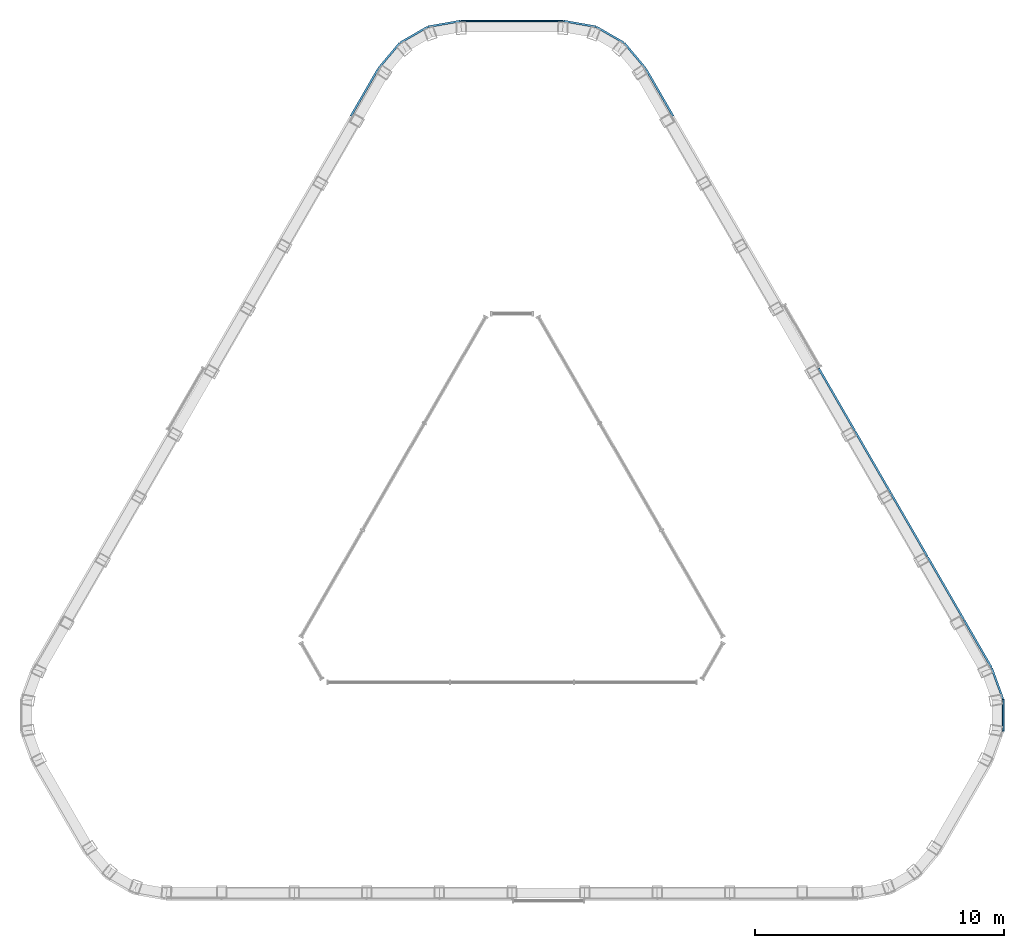
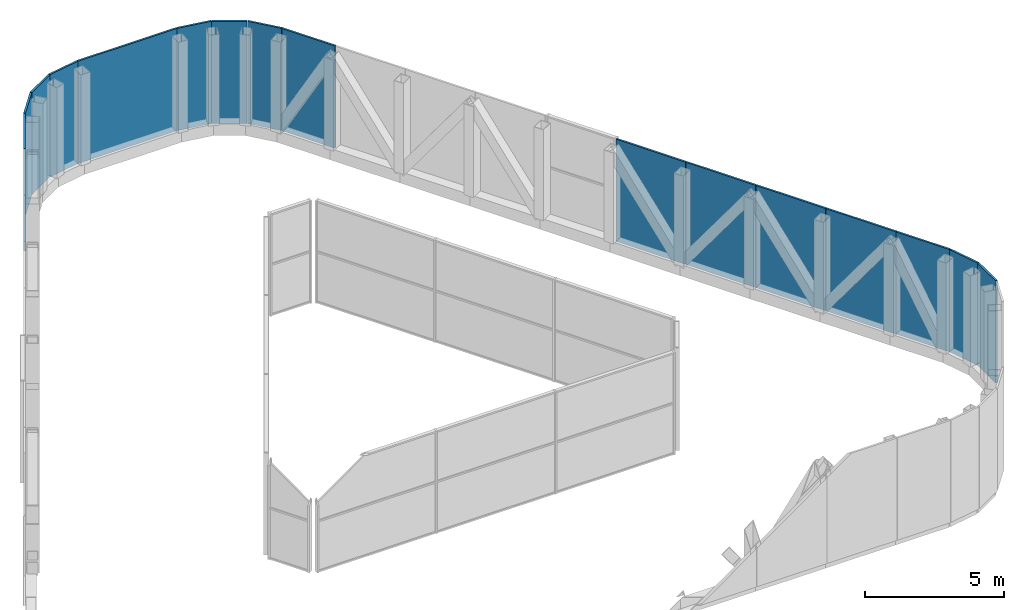
# One storey, part 5 of 5: 16 plates.
"""IFC4 building model written with IfcOpenShell, lengths in metres."""

import ifcopenshell
import ifcopenshell.guid

model = None  # the IFC model being written
_history = None  # IfcOwnerHistory: only IFC2X3 demands one
_inside = {}  # id of a spatial element -> (the spatial element, [elements in it])
_under = {}  # id of a project, library or spatial element -> (it, [spatial elements below it])
_declared = {}  # id of a project -> (the project, [libraries it declares])
_typed = {}  # id of a type object -> (the type object, [elements of that type])
_made_of = {}  # id of a material, layer set ... -> (it, [elements and type objects made of it])


def new_model(schema):
    """Start an empty IFC model of exactly this schema.

    Asked for "IFC4X3", IfcOpenShell would pick the latest addendum, in which some entities
    have other attributes; the version numbers below select the first issue.
    IFC2X3 requires an IfcOwnerHistory on every rooted entity: one is made here for all.
    """
    global model, _history
    if schema == "IFC4X3":
        model = ifcopenshell.file(schema_version=(4, 3, 0, 0))
    else:
        model = ifcopenshell.file(schema=schema)
    _inside.clear()
    _under.clear()
    _declared.clear()
    _typed.clear()
    _made_of.clear()
    _history = None
    if model.schema == "IFC2X3":
        org = make("IfcOrganization", Name="unknown")
        user = make(
            "IfcPersonAndOrganization",
            ThePerson=make("IfcPerson", FamilyName="unknown"),
            TheOrganization=org,
        )
        app = make(
            "IfcApplication",
            ApplicationDeveloper=org,
            Version="unknown",
            ApplicationFullName="unknown",
            ApplicationIdentifier="unknown",
        )
        _history = make(
            "IfcOwnerHistory",
            OwningUser=user,
            OwningApplication=app,
            ChangeAction="ADDED",
            CreationDate=0,
        )
    return model


def make(cls, **values):
    """One entity of the class cls with the attributes given. An attribute that is None is left unset."""
    return model.create_entity(
        cls, **{name: value for name, value in values.items() if value is not None}
    )


def rooted(cls, **values):
    """An entity with a GlobalId (a new one), such as an element, a storey or a relation."""
    return make(cls, GlobalId=ifcopenshell.guid.new(), OwnerHistory=_history, **values)


def si_unit(unit_type, name, prefix=None):
    """IfcSIUnit, for example si_unit("LENGTHUNIT", "METRE", prefix="MILLI")."""
    return make("IfcSIUnit", UnitType=unit_type, Prefix=prefix, Name=name)


def assignment(units):
    """IfcUnitAssignment: the units of a project."""
    return None if units is None else make("IfcUnitAssignment", Units=units)


def point(xyz):
    """IfcCartesianPoint."""
    return None if xyz is None else make("IfcCartesianPoint", Coordinates=xyz)


def direction(xyz):
    """IfcDirection."""
    return None if xyz is None else make("IfcDirection", DirectionRatios=xyz)


def frame(location, z_axis=None, x_axis=None):
    """IfcAxis2Placement3D, a coordinate frame: its origin and axes. An axis left out is left unset."""
    return make(
        "IfcAxis2Placement3D",
        Location=point(location),
        Axis=direction(z_axis),
        RefDirection=direction(x_axis),
    )


def frame_2d(location, x_axis=None):
    """IfcAxis2Placement2D, a coordinate frame in the plane: its origin and x axis."""
    return make(
        "IfcAxis2Placement2D", Location=point(location), RefDirection=direction(x_axis)
    )


def origin():
    """The frame at (0, 0, 0) with its axes left unset."""
    return frame((0.0, 0.0, 0.0))


def origin_2d():
    """The frame at (0, 0) in the plane with its x axis left unset."""
    return frame_2d((0.0, 0.0))


def place(relative_to, where):
    """IfcLocalPlacement: puts the frame where relative to a parent placement (None: the world)."""
    return make(
        "IfcLocalPlacement", PlacementRelTo=relative_to, RelativePlacement=where
    )


def context(
    kind, dimensions, precision=None, world=None, true_north=None, identifier=None
):
    """IfcGeometricRepresentationContext, for example the 3D "Model" context."""
    return make(
        "IfcGeometricRepresentationContext",
        ContextIdentifier=identifier,
        ContextType=kind,
        CoordinateSpaceDimension=dimensions,
        Precision=precision,
        WorldCoordinateSystem=world,
        TrueNorth=true_north,
    )


def subcontext(parent, identifier, kind, view, scale=None):
    """IfcGeometricRepresentationSubContext, for example "Body" below "Model"."""
    return make(
        "IfcGeometricRepresentationSubContext",
        ContextIdentifier=identifier,
        ContextType=kind,
        ParentContext=parent,
        TargetScale=scale,
        TargetView=view,
    )


def project(units=None, contexts=None):
    """IfcProject with its units and contexts."""
    return rooted(
        "IfcProject",
        Name="project",
        RepresentationContexts=contexts,
        UnitsInContext=assignment(units),
    )


def spatial(cls, under=None, at=None, **own):
    """A site, building, storey or space (cls), placed at a placement, below another one or the project."""
    s = rooted(cls, ObjectPlacement=at, **own)
    if under is not None:
        _under.setdefault(under.id(), (under, []))[1].append(s)
    return s


def profile(cls, at=None, kind="AREA", **sizes):
    """A parametric profile (cls). Its sizes go by their IFC names, for example OverallWidth=200.0."""
    return make(cls, ProfileType=kind, Position=at, **sizes)


def rectangle(**sizes):
    """IfcRectangleProfileDef."""
    return profile("IfcRectangleProfileDef", **sizes)


def extrude(swept, where, along, depth):
    """IfcExtrudedAreaSolid: the profile swept, set in the frame where, extruded along a direction by depth."""
    return make(
        "IfcExtrudedAreaSolid",
        SweptArea=swept,
        Position=where,
        ExtrudedDirection=direction(along),
        Depth=depth,
    )


def shape(context_of_items, identifier, shape_type, items):
    """IfcShapeRepresentation: the items that make up one representation, for example the "Body"."""
    return make(
        "IfcShapeRepresentation",
        ContextOfItems=context_of_items,
        RepresentationIdentifier=identifier,
        RepresentationType=shape_type,
        Items=items,
    )


def material(Name=None, Category=None):
    """IfcMaterial."""
    return make("IfcMaterial", Name=Name, Category=Category)


def layer(
    of_material, thickness, ventilated=None, Name=None, Category=None, Priority=None
):
    """IfcMaterialLayer: one layer of a wall or slab, of a material (None: an air gap)."""
    return make(
        "IfcMaterialLayer",
        Material=of_material,
        LayerThickness=thickness,
        IsVentilated=ventilated,
        Name=Name,
        Category=Category,
        Priority=Priority,
    )


def layer_set(layers, Name=None):
    """IfcMaterialLayerSet."""
    return make("IfcMaterialLayerSet", MaterialLayers=layers, LayerSetName=Name)


def made_of(thing, what):
    """Note that an element or type object is made of a material, layer set ...; save() writes the relation."""
    if what is not None:
        _made_of.setdefault(what.id(), (what, []))[1].append(thing)
    return thing


def type_object(cls, material=None, **own):
    """A type object (cls), such as IfcWallType, which elements share."""
    return made_of(rooted(cls, **own), material)


def element(
    cls,
    number,
    at=None,
    inside=None,
    cuts=None,
    type_object=None,
    material=None,
    context=None,
    identifier="Body",
    shape_type=None,
    held_by="IfcProductDefinitionShape",
    body=None,
    shapes=None,
    **own,
):
    """One element of the class cls, such as IfcWall. Its Tag is "e" and its number.

    at: its placement. inside: the storey or other place that contains it. cuts: it is an
    opening in that element (IfcRelVoidsElement). A single representation is given by context,
    identifier, shape_type and body (its items); several are given by shapes. held_by: the class
    of the entity that holds the representations. save() writes the other relations.
    """
    e = rooted(cls, Tag="e%d" % number, ObjectPlacement=at, **own)
    if body is not None:
        shapes = [shape(context, identifier, shape_type, body)]
    if shapes is not None:
        e.Representation = make(held_by, Representations=shapes)
    if inside is not None:
        _inside.setdefault(inside.id(), (inside, []))[1].append(e)
    if cuts is not None:
        rooted(
            "IfcRelVoidsElement", RelatingBuildingElement=cuts, RelatedOpeningElement=e
        )
    if type_object is not None:
        _typed.setdefault(type_object.id(), (type_object, []))[1].append(e)
    return made_of(e, material)


def aggregate(whole, parts):
    """IfcRelAggregates: a whole, such as a stair, and the parts it consists of."""
    return rooted("IfcRelAggregates", RelatingObject=whole, RelatedObjects=parts)


def save(model, path):
    """Write the relations noted so far, then the file.

    IfcRelAggregates (storeys below a building ...), IfcRelContainedInSpatialStructure (elements
    in a storey), IfcRelDefinesByType, IfcRelAssociatesMaterial and IfcRelDeclares: one each for
    every whole, place, type object, material and project.
    """
    for whole, parts in _under.values():
        aggregate(whole, parts)
    for where, things in _inside.values():
        rooted(
            "IfcRelContainedInSpatialStructure",
            RelatedElements=things,
            RelatingStructure=where,
        )
    for kind, things in _typed.values():
        rooted("IfcRelDefinesByType", RelatedObjects=things, RelatingType=kind)
    for what, things in _made_of.values():
        rooted("IfcRelAssociatesMaterial", RelatedObjects=things, RelatingMaterial=what)
    for by, libraries in _declared.values():
        rooted("IfcRelDeclares", RelatingContext=by, RelatedDefinitions=libraries)
    model.write(path)


model = new_model("IFC4")

# Units and contexts
model_context = context("Model", 3, precision=1e-05, world=origin(), true_north=direction((0.0, 1.0)))
body_context = subcontext(model_context, "Body", "Model", "MODEL_VIEW")
ifc_project = project(units=[si_unit("LENGTHUNIT", "METRE"), si_unit("AREAUNIT", "SQUARE_METRE"), si_unit("VOLUMEUNIT", "CUBIC_METRE"), si_unit("PLANEANGLEUNIT", "RADIAN"), si_unit("MASSUNIT", "GRAM", prefix="KILO")], contexts=[model_context])

# Site, building, storey
site_placement = place(None, origin())
site = spatial("IfcSite", under=ifc_project, at=site_placement, CompositionType="ELEMENT")
building_placement = place(site_placement, origin())
building = spatial("IfcBuilding", under=site, at=building_placement, Name="Apuvela Tower Hotel", CompositionType="ELEMENT")
storey_placement = place(building_placement, frame((0.0, 0.0, 353.300048828125)))
storey = spatial("IfcBuildingStorey", under=building, at=storey_placement, Name="R-3 ROOF", CompositionType="ELEMENT", Elevation=353.300048828125)

# Plates
ifc_material = material(Name="Aluminium 6063-T6, black anodised perforated panel", Category="aluminium")
ifc_layer = layer(ifc_material, 0.080078125)
ifc_layer_set = layer_set([ifc_layer], Name="ENV-CROWN-SCREEN-80")
plate_type = type_object("IfcPlateType", Name="ENV-CROWN-SCREEN-80", PredefinedType="SHEET", material=ifc_layer_set)
plate_1_placement = place(storey_placement, frame((3.942626953125, 20.489013671875, 0.0), z_axis=(0.0, 0.0, 1.0), x_axis=(-0.866025403784, 0.5, 0.0)))
element("IfcPlate", 1, at=plate_1_placement, inside=storey, type_object=plate_type, Name="Crown screen 1", PredefinedType="SHEET", context=body_context, shape_type="SweptSolid", body=[
    extrude(rectangle(XDim=1.2841796875, YDim=0.080078125, at=origin_2d()), origin(), (0.0, 0.0, 1.0), 4.5),
])
plate_2_placement = place(storey_placement, frame((2.72216796875, 20.930908203125, 0.0), z_axis=(0.0, 0.0, 1.0), x_axis=(-0.984807753012, 0.173648177667, 0.0)))
element("IfcPlate", 2, at=plate_2_placement, inside=storey, type_object=plate_type, Name="Crown screen 2", PredefinedType="SHEET", context=body_context, shape_type="SweptSolid", body=[
    extrude(rectangle(XDim=1.311767578125, YDim=0.080078125, at=origin_2d()), origin(), (0.0, 0.0, 1.0), 4.5),
])
plate_3_placement = place(storey_placement, frame((0.0, 21.04638671875, 0.0), z_axis=(0.0, 0.0, 1.0), x_axis=(-1.0, 0.0, 0.0)))
element("IfcPlate", 3, at=plate_3_placement, inside=storey, type_object=plate_type, Name="Crown screen 3", PredefinedType="SHEET", context=body_context, shape_type="SweptSolid", body=[
    extrude(rectangle(XDim=4.11279296875, YDim=0.080078125, at=origin_2d()), origin(), (0.0, 0.0, 1.0), 4.5),
])
plate_4_placement = place(storey_placement, frame((-2.72216796875, 20.930908203125, 0.0), z_axis=(0.0, 0.0, 1.0), x_axis=(-0.984807753012, -0.173648177667, 0.0)))
element("IfcPlate", 4, at=plate_4_placement, inside=storey, type_object=plate_type, Name="Crown screen 4", PredefinedType="SHEET", context=body_context, shape_type="SweptSolid", body=[
    extrude(rectangle(XDim=1.311767578125, YDim=0.080078125, at=origin_2d()), origin(), (0.0, 0.0, 1.0), 4.5),
])
plate_5_placement = place(storey_placement, frame((-3.942626953125, 20.489013671875, 0.0), z_axis=(0.0, 0.0, 1.0), x_axis=(-0.866025403784, -0.5, 0.0)))
element("IfcPlate", 5, at=plate_5_placement, inside=storey, type_object=plate_type, Name="Crown screen 5", PredefinedType="SHEET", context=body_context, shape_type="SweptSolid", body=[
    extrude(rectangle(XDim=1.2841796875, YDim=0.080078125, at=origin_2d()), origin(), (0.0, 0.0, 1.0), 4.5),
])
plate_6_placement = place(storey_placement, frame((-4.935302734375, 19.653076171875, 0.0), z_axis=(0.0, 0.0, 1.0), x_axis=(-0.642787609687, -0.766044443119, 0.0)))
element("IfcPlate", 6, at=plate_6_placement, inside=storey, type_object=plate_type, Name="Crown screen 6", PredefinedType="SHEET", context=body_context, shape_type="SweptSolid", body=[
    extrude(rectangle(XDim=1.311767578125, YDim=0.080078125, at=origin_2d()), origin(), (0.0, 0.0, 1.0), 4.5),
])
plate_7_placement = place(storey_placement, frame((-5.920166015625, 18.178466796875, 0.0), z_axis=(0.0, 0.0, 1.0), x_axis=(-0.5, -0.866025403784, 0.0)))
element("IfcPlate", 7, at=plate_7_placement, inside=storey, type_object=plate_type, Name="Crown screen 7", PredefinedType="SHEET", context=body_context, shape_type="SweptSolid", body=[
    extrude(rectangle(XDim=2.20751953125, YDim=0.080078125, at=origin_2d()), origin(), (0.0, 0.0, 1.0), 4.5),
])
plate_8_placement = place(storey_placement, frame((19.71533203125, -6.830078125, 0.0), z_axis=(0.0, 0.0, 1.0), x_axis=(0.0, 1.0, 0.0)))
element("IfcPlate", 8, at=plate_8_placement, inside=storey, type_object=plate_type, Name="Crown screen 39", PredefinedType="SHEET", context=body_context, shape_type="SweptSolid", body=[
    extrude(rectangle(XDim=1.2841796875, YDim=0.080078125, at=origin_2d()), origin(), (0.0, 0.0, 1.0), 4.5),
])
plate_9_placement = place(storey_placement, frame((19.487548828125, -5.552490234375, 0.0), z_axis=(0.0, 0.0, 1.0), x_axis=(-0.342020143326, 0.939692620786, 0.0)))
element("IfcPlate", 9, at=plate_9_placement, inside=storey, type_object=plate_type, Name="Crown screen 40", PredefinedType="SHEET", context=body_context, shape_type="SweptSolid", body=[
    extrude(rectangle(XDim=1.311767578125, YDim=0.080078125, at=origin_2d()), origin(), (0.0, 0.0, 1.0), 4.5),
])
plate_10_placement = place(storey_placement, frame((18.702880859375, -3.962158203125, 0.0), z_axis=(0.0, 0.0, 1.0), x_axis=(-0.5, 0.866025403784, 0.0)))
element("IfcPlate", 10, at=plate_10_placement, inside=storey, type_object=plate_type, Name="Crown screen 41", PredefinedType="SHEET", context=body_context, shape_type="SweptSolid", body=[
    extrude(rectangle(XDim=2.20751953125, YDim=0.080078125, at=origin_2d()), origin(), (0.0, 0.0, 1.0), 4.5),
])
for number, where, z_axis, x_axis, name in (
    (11, (17.4169921875, -1.734619140625, 0.0), (0.0, 0.0, 1.0), (-0.5, 0.866025403784, 0.0), "Crown screen 42"),
    (12, (15.958251953125, 0.7919921875, 0.0), (0.0, 0.0, 1.0), (-0.5, 0.866025403784, 0.0), "Crown screen 43"),
    (13, (14.49951171875, 3.318359375, 0.0), (0.0, 0.0, 1.0), (-0.5, 0.866025403784, 0.0), "Crown screen 44"),
    (14, (13.041015625, 5.844970703125, 0.0), (0.0, 0.0, 1.0), (-0.5, 0.866025403784, 0.0), "Crown screen 45"),
):
    element("IfcPlate", number, at=place(storey_placement, frame(where, z_axis=z_axis, x_axis=x_axis)), inside=storey, type_object=plate_type, Name=name, PredefinedType="SHEET", context=body_context, shape_type="SweptSolid", body=[
        extrude(rectangle(XDim=2.897216796875, YDim=0.080078125, at=origin_2d()), origin(), (0.0, 0.0, 1.0), 4.5),
    ])
plate_11_placement = place(storey_placement, frame((5.920166015625, 18.178466796875, 0.0), z_axis=(0.0, 0.0, 1.0), x_axis=(-0.5, 0.866025403784, 0.0)))
element("IfcPlate", 15, at=plate_11_placement, inside=storey, type_object=plate_type, Name="Crown screen 50", PredefinedType="SHEET", context=body_context, shape_type="SweptSolid", body=[
    extrude(rectangle(XDim=2.20751953125, YDim=0.080078125, at=origin_2d()), origin(), (0.0, 0.0, 1.0), 4.5),
])
plate_12_placement = place(storey_placement, frame((4.935302734375, 19.653076171875, 0.0), z_axis=(0.0, 0.0, 1.0), x_axis=(-0.642787609687, 0.766044443119, 0.0)))
element("IfcPlate", 16, at=plate_12_placement, inside=storey, type_object=plate_type, Name="Crown screen 51", PredefinedType="SHEET", context=body_context, shape_type="SweptSolid", body=[
    extrude(rectangle(XDim=1.311767578125, YDim=0.080078125, at=origin_2d()), origin(), (0.0, 0.0, 1.0), 4.5),
])

save(model, "model.ifc")
